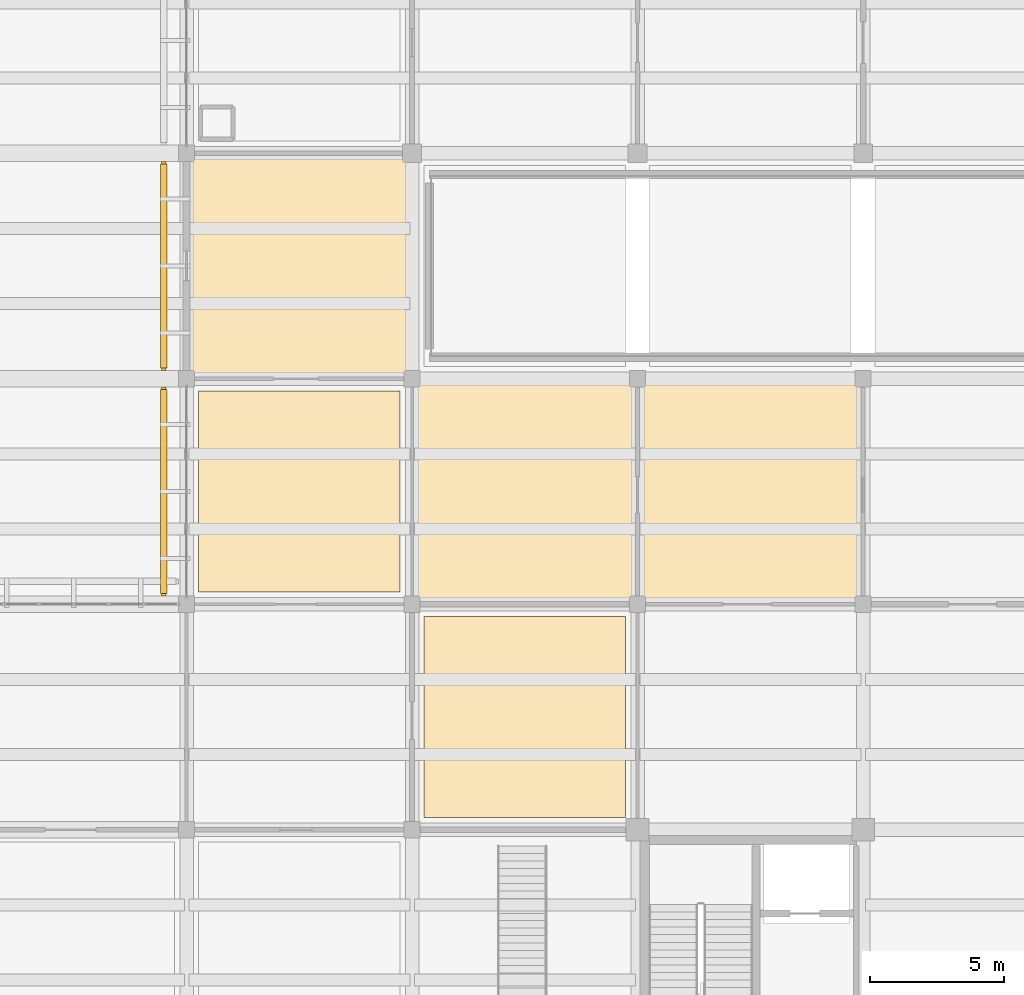
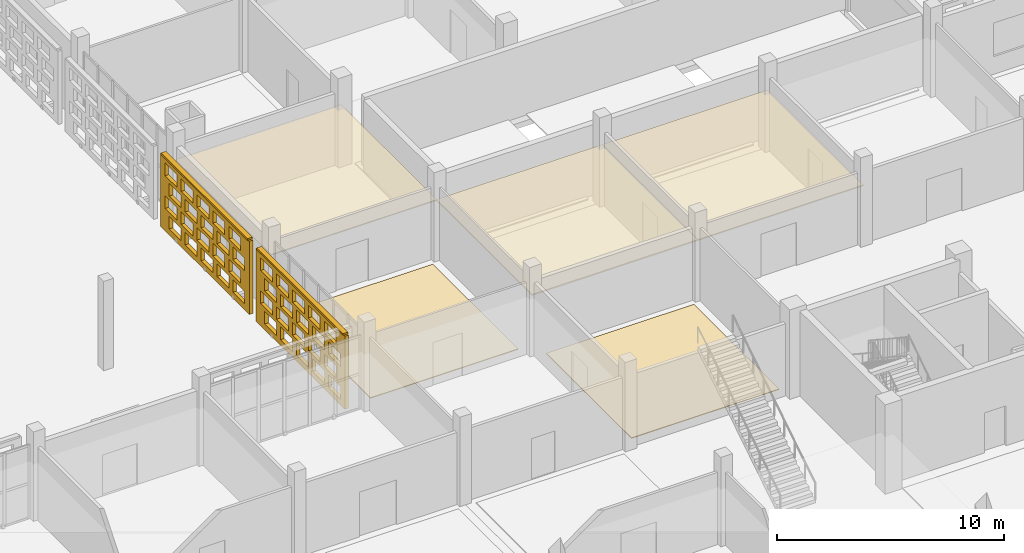
# One storey, part 116 of 129: 7 coverings, 2 shading devices, 40 openings.
"""IFC4 building model written with IfcOpenShell, lengths in metres."""

from ifc_helpers import new_model, si_unit, direction, frame, frame_2d, origin, origin_2d, place, context, subcontext, project, spatial, rectangle, extrude, material, layer, layer_set, type_object, element, save


model = new_model("IFC4")

# Units and contexts
model_context = context("Model", 3, precision=1e-05, world=origin(), true_north=direction((0.0, 1.0)))
body_context = subcontext(model_context, "Body", "Model", "MODEL_VIEW")
ifc_project = project(units=[si_unit("LENGTHUNIT", "METRE"), si_unit("AREAUNIT", "SQUARE_METRE"), si_unit("VOLUMEUNIT", "CUBIC_METRE"), si_unit("PLANEANGLEUNIT", "RADIAN"), si_unit("MASSUNIT", "GRAM", prefix="KILO")], contexts=[model_context])

# Site, building, storey
site_placement = place(None, origin())
site = spatial("IfcSite", under=ifc_project, at=site_placement, CompositionType="ELEMENT")
building_placement = place(site_placement, origin())
building = spatial("IfcBuilding", under=site, at=building_placement, Name="Varnapada Polytechnic", CompositionType="ELEMENT")
storey_placement = place(building_placement, origin())
storey = spatial("IfcBuildingStorey", under=building, at=storey_placement, Name="L00", CompositionType="ELEMENT", Elevation=0.0)

# Coverings
ifc_material_1 = material(Name="Acoustic Rubber Seminar Flooring")
ifc_layer_1 = layer(ifc_material_1, 0.0400390625)
ifc_layer_set_1 = layer_set([ifc_layer_1], Name="Acoustic Rubber Seminar Flooring")
covering_type_1 = type_object("IfcCoveringType", Name="Floor Finish FLR-06", PredefinedType="FLOORING", material=ifc_layer_set_1)
for number, where, z_axis, x_axis, name in (
    (1, (138.60009765625, 46.199951171875, 0.0), (0.0, 0.0, 1.0), (1.0, 0.0, 0.0), "L00 floor finish panel (17,6)"),
    (2, (147.0, 37.800048828125, 0.0), (0.0, 0.0, 1.0), (1.0, 0.0, 0.0), "L00 floor finish panel (18,5)"),
):
    element("IfcCovering", number, at=place(storey_placement, frame(where, z_axis=z_axis, x_axis=x_axis)), inside=storey, type_object=covering_type_1, Name=name, PredefinedType="FLOORING", context=body_context, shape_type="SweptSolid", body=[
        extrude(rectangle(XDim=7.5, YDim=7.5, at=origin_2d()), origin(), (0.0, 0.0, 1.0), 0.0400390625),
    ])
ifc_material_2 = material(Name="Perforated Timber Slatted Baffle Ceiling", Category="wood")
ifc_layer_2 = layer(ifc_material_2, 0.050048828125)
ifc_layer_set_2 = layer_set([ifc_layer_2], Name="Perforated Timber Slatted Baffle Ceiling")
covering_type_2 = type_object("IfcCoveringType", Name="Suspended Ceiling CLG-02", PredefinedType="CEILING", material=ifc_layer_set_2)
covering_1_placement = place(storey_placement, frame((138.60009765625, 54.60009765625, 3.02490234375), z_axis=(0.0, 0.0, 1.0), x_axis=(1.0, 0.0, 0.0)))
element("IfcCovering", 3, at=covering_1_placement, inside=storey, type_object=covering_type_2, Name="L00 suspended acoustic ceiling (17,7)", PredefinedType="CEILING", context=body_context, shape_type="SweptSolid", body=[
    extrude(rectangle(XDim=8.419921875, YDim=8.419921875, at=origin_2d()), origin(), (0.0, 0.0, 1.0), 0.050048828125),
])
ifc_material_3 = material(Name="Slatted Merbau Timber Acoustic Ceiling", Category="wood")
ifc_layer_3 = layer(ifc_material_3, 0.054931640625)
ifc_layer_set_3 = layer_set([ifc_layer_3], Name="Slatted Merbau Timber Acoustic Ceiling")
covering_type_3 = type_object("IfcCoveringType", Name="Suspended Ceiling CLG-05", PredefinedType="CEILING", material=ifc_layer_set_3)
covering_2_placement = place(storey_placement, frame((155.39990234375, 46.199951171875, 3.0224609375), z_axis=(0.0, 0.0, 1.0), x_axis=(1.0, 0.0, 0.0)))
element("IfcCovering", 4, at=covering_2_placement, inside=storey, type_object=covering_type_3, Name="L00 suspended acoustic ceiling (19,6)", PredefinedType="CEILING", context=body_context, shape_type="SweptSolid", body=[
    extrude(rectangle(XDim=8.419921875, YDim=8.419921875, at=origin_2d()), origin(), (0.0, 0.0, 1.0), 0.054931640625),
])
ifc_material_4 = material(Name="Deep Acoustic Auditorium Cloud Baffle")
ifc_layer_4 = layer(ifc_material_4, 0.06494140625)
ifc_layer_set_4 = layer_set([ifc_layer_4], Name="Deep Acoustic Auditorium Cloud Baffle")
covering_type_4 = type_object("IfcCoveringType", Name="Suspended Ceiling CLG-07", PredefinedType="CEILING", material=ifc_layer_set_4)
covering_3_placement = place(storey_placement, frame((147.0, 46.199951171875, 3.017578125), z_axis=(0.0, 0.0, 1.0), x_axis=(1.0, 0.0, 0.0)))
element("IfcCovering", 5, at=covering_3_placement, inside=storey, type_object=covering_type_4, Name="L00 suspended acoustic ceiling (18,6)", PredefinedType="CEILING", context=body_context, shape_type="SweptSolid", body=[
    extrude(rectangle(XDim=8.419921875, YDim=8.419921875, at=origin_2d()), origin(), (0.0, 0.0, 1.0), 0.06494140625),
])

# Covering, openings
ifc_material_5 = material(Name="Earth-toned architectural terracotta screen block", Category="masonry")
ifc_layer_5 = layer(ifc_material_5, 0.1201171875)
ifc_layer_set_5 = layer_set([ifc_layer_5], Name="Earth-toned architectural terracotta screen block")
covering_type_5 = type_object("IfcCoveringType", Name="Terracotta Screen Cladding CLD-01", PredefinedType="CLADDING", material=ifc_layer_set_5)
covering_4_placement = place(storey_placement, frame((133.550048828125, 42.300048828125, 0.0), z_axis=(0.0, 0.0, 1.0), x_axis=(0.0, 1.0, 0.0)))
covering_4 = element("IfcCovering", 6, at=covering_4_placement, inside=storey, type_object=covering_type_5, Name="L00 perforated terracotta block screen (85)", PredefinedType="CLADDING", context=body_context, shape_type="SweptSolid", body=[
    extrude(rectangle(XDim=7.800048828125, YDim=0.179931640625, at=frame_2d((3.89990234375, 0.0))), origin(), (0.0, 0.0, 1.0), 3.919921875),
])
opening_1_placement = place(covering_4_placement, frame((0.39990234375, 0.0, 0.313720703125)))
element("IfcOpeningElement", 7, at=opening_1_placement, cuts=covering_4, Name="Screen perforation TBS-L00-084.1", PredefinedType="OPENING", context=body_context, shape_type="SweptSolid", body=[
    extrude(rectangle(XDim=1.0400390625, YDim=0.679931640625, at=frame_2d((0.52001953125, 0.33984375))), frame((0.0, 0.099853515625, 0.0), z_axis=(0.0, -1.0, 0.0), x_axis=(1.0, 0.0, 0.0)), (0.0, 0.0, 1.0), 0.199951171875),
])
opening_2_placement = place(covering_4_placement, frame((1.800048828125, 0.0, 0.313720703125)))
element("IfcOpeningElement", 8, at=opening_2_placement, cuts=covering_4, Name="Screen perforation TBS-L00-084.2", PredefinedType="OPENING", context=body_context, shape_type="SweptSolid", body=[
    extrude(rectangle(XDim=1.0400390625, YDim=0.679931640625, at=frame_2d((0.52001953125, 0.33984375))), frame((0.0, 0.099853515625, 0.0), z_axis=(0.0, -1.0, 0.0), x_axis=(1.0, 0.0, 0.0)), (0.0, 0.0, 1.0), 0.199951171875),
])
opening_3_placement = place(covering_4_placement, frame((3.199951171875, 0.0, 0.313720703125)))
element("IfcOpeningElement", 9, at=opening_3_placement, cuts=covering_4, Name="Screen perforation TBS-L00-084.3", PredefinedType="OPENING", context=body_context, shape_type="SweptSolid", body=[
    extrude(rectangle(XDim=1.0400390625, YDim=0.679931640625, at=frame_2d((0.52001953125, 0.33984375))), frame((0.0, 0.099853515625, 0.0), z_axis=(0.0, -1.0, 0.0), x_axis=(1.0, 0.0, 0.0)), (0.0, 0.0, 1.0), 0.199951171875),
])
opening_4_placement = place(covering_4_placement, frame((4.60009765625, 0.0, 0.313720703125)))
element("IfcOpeningElement", 10, at=opening_4_placement, cuts=covering_4, Name="Screen perforation TBS-L00-084.4", PredefinedType="OPENING", context=body_context, shape_type="SweptSolid", body=[
    extrude(rectangle(XDim=1.0400390625, YDim=0.679931640625, at=frame_2d((0.52001953125, 0.33984375))), frame((0.0, 0.099853515625, 0.0), z_axis=(0.0, -1.0, 0.0), x_axis=(1.0, 0.0, 0.0)), (0.0, 0.0, 1.0), 0.199951171875),
])
opening_5_placement = place(covering_4_placement, frame((6.0, 0.0, 0.313720703125)))
element("IfcOpeningElement", 11, at=opening_5_placement, cuts=covering_4, Name="Screen perforation TBS-L00-084.5", PredefinedType="OPENING", context=body_context, shape_type="SweptSolid", body=[
    extrude(rectangle(XDim=1.0400390625, YDim=0.679931640625, at=frame_2d((0.52001953125, 0.33984375))), frame((0.0, 0.099853515625, 0.0), z_axis=(0.0, -1.0, 0.0), x_axis=(1.0, 0.0, 0.0)), (0.0, 0.0, 1.0), 0.199951171875),
])
opening_6_placement = place(covering_4_placement, frame((0.760009765625, 0.0, 1.195556640625)))
element("IfcOpeningElement", 12, at=opening_6_placement, cuts=covering_4, Name="Screen perforation TBS-L00-084.6", PredefinedType="OPENING", context=body_context, shape_type="SweptSolid", body=[
    extrude(rectangle(XDim=1.0400390625, YDim=0.679931640625, at=frame_2d((0.52001953125, 0.33984375))), frame((0.0, 0.099853515625, 0.0), z_axis=(0.0, -1.0, 0.0), x_axis=(1.0, 0.0, 0.0)), (0.0, 0.0, 1.0), 0.199951171875),
])
opening_7_placement = place(covering_4_placement, frame((2.159912109375, 0.0, 1.195556640625)))
element("IfcOpeningElement", 13, at=opening_7_placement, cuts=covering_4, Name="Screen perforation TBS-L00-084.7", PredefinedType="OPENING", context=body_context, shape_type="SweptSolid", body=[
    extrude(rectangle(XDim=1.0400390625, YDim=0.679931640625, at=frame_2d((0.52001953125, 0.33984375))), frame((0.0, 0.099853515625, 0.0), z_axis=(0.0, -1.0, 0.0), x_axis=(1.0, 0.0, 0.0)), (0.0, 0.0, 1.0), 0.199951171875),
])
opening_8_placement = place(covering_4_placement, frame((3.56005859375, 0.0, 1.195556640625)))
element("IfcOpeningElement", 14, at=opening_8_placement, cuts=covering_4, Name="Screen perforation TBS-L00-084.8", PredefinedType="OPENING", context=body_context, shape_type="SweptSolid", body=[
    extrude(rectangle(XDim=1.0400390625, YDim=0.679931640625, at=frame_2d((0.52001953125, 0.33984375))), frame((0.0, 0.099853515625, 0.0), z_axis=(0.0, -1.0, 0.0), x_axis=(1.0, 0.0, 0.0)), (0.0, 0.0, 1.0), 0.199951171875),
])
opening_9_placement = place(covering_4_placement, frame((4.9599609375, 0.0, 1.195556640625)))
element("IfcOpeningElement", 15, at=opening_9_placement, cuts=covering_4, Name="Screen perforation TBS-L00-084.9", PredefinedType="OPENING", context=body_context, shape_type="SweptSolid", body=[
    extrude(rectangle(XDim=1.0400390625, YDim=0.679931640625, at=frame_2d((0.52001953125, 0.33984375))), frame((0.0, 0.099853515625, 0.0), z_axis=(0.0, -1.0, 0.0), x_axis=(1.0, 0.0, 0.0)), (0.0, 0.0, 1.0), 0.199951171875),
])
opening_10_placement = place(covering_4_placement, frame((6.360107421875, 0.0, 1.195556640625)))
element("IfcOpeningElement", 16, at=opening_10_placement, cuts=covering_4, Name="Screen perforation TBS-L00-084.10", PredefinedType="OPENING", context=body_context, shape_type="SweptSolid", body=[
    extrude(rectangle(XDim=1.0400390625, YDim=0.679931640625, at=frame_2d((0.52001953125, 0.33984375))), frame((0.0, 0.099853515625, 0.0), z_axis=(0.0, -1.0, 0.0), x_axis=(1.0, 0.0, 0.0)), (0.0, 0.0, 1.0), 0.199951171875),
])
opening_11_placement = place(covering_4_placement, frame((0.39990234375, 0.0, 2.07763671875)))
element("IfcOpeningElement", 17, at=opening_11_placement, cuts=covering_4, Name="Screen perforation TBS-L00-084.11", PredefinedType="OPENING", context=body_context, shape_type="SweptSolid", body=[
    extrude(rectangle(XDim=1.0400390625, YDim=0.679931640625, at=frame_2d((0.52001953125, 0.33984375))), frame((0.0, 0.099853515625, 0.0), z_axis=(0.0, -1.0, 0.0), x_axis=(1.0, 0.0, 0.0)), (0.0, 0.0, 1.0), 0.199951171875),
])
opening_12_placement = place(covering_4_placement, frame((1.800048828125, 0.0, 2.07763671875)))
element("IfcOpeningElement", 18, at=opening_12_placement, cuts=covering_4, Name="Screen perforation TBS-L00-084.12", PredefinedType="OPENING", context=body_context, shape_type="SweptSolid", body=[
    extrude(rectangle(XDim=1.0400390625, YDim=0.679931640625, at=frame_2d((0.52001953125, 0.33984375))), frame((0.0, 0.099853515625, 0.0), z_axis=(0.0, -1.0, 0.0), x_axis=(1.0, 0.0, 0.0)), (0.0, 0.0, 1.0), 0.199951171875),
])
opening_13_placement = place(covering_4_placement, frame((3.199951171875, 0.0, 2.07763671875)))
element("IfcOpeningElement", 19, at=opening_13_placement, cuts=covering_4, Name="Screen perforation TBS-L00-084.13", PredefinedType="OPENING", context=body_context, shape_type="SweptSolid", body=[
    extrude(rectangle(XDim=1.0400390625, YDim=0.679931640625, at=frame_2d((0.52001953125, 0.33984375))), frame((0.0, 0.099853515625, 0.0), z_axis=(0.0, -1.0, 0.0), x_axis=(1.0, 0.0, 0.0)), (0.0, 0.0, 1.0), 0.199951171875),
])
opening_14_placement = place(covering_4_placement, frame((4.60009765625, 0.0, 2.07763671875)))
element("IfcOpeningElement", 20, at=opening_14_placement, cuts=covering_4, Name="Screen perforation TBS-L00-084.14", PredefinedType="OPENING", context=body_context, shape_type="SweptSolid", body=[
    extrude(rectangle(XDim=1.0400390625, YDim=0.679931640625, at=frame_2d((0.52001953125, 0.33984375))), frame((0.0, 0.099853515625, 0.0), z_axis=(0.0, -1.0, 0.0), x_axis=(1.0, 0.0, 0.0)), (0.0, 0.0, 1.0), 0.199951171875),
])
opening_15_placement = place(covering_4_placement, frame((6.0, 0.0, 2.07763671875)))
element("IfcOpeningElement", 21, at=opening_15_placement, cuts=covering_4, Name="Screen perforation TBS-L00-084.15", PredefinedType="OPENING", context=body_context, shape_type="SweptSolid", body=[
    extrude(rectangle(XDim=1.0400390625, YDim=0.679931640625, at=frame_2d((0.52001953125, 0.33984375))), frame((0.0, 0.099853515625, 0.0), z_axis=(0.0, -1.0, 0.0), x_axis=(1.0, 0.0, 0.0)), (0.0, 0.0, 1.0), 0.199951171875),
])
opening_16_placement = place(covering_4_placement, frame((0.760009765625, 0.0, 2.959716796875)))
element("IfcOpeningElement", 22, at=opening_16_placement, cuts=covering_4, Name="Screen perforation TBS-L00-084.16", PredefinedType="OPENING", context=body_context, shape_type="SweptSolid", body=[
    extrude(rectangle(XDim=1.0400390625, YDim=0.679931640625, at=frame_2d((0.52001953125, 0.33984375))), frame((0.0, 0.099853515625, 0.0), z_axis=(0.0, -1.0, 0.0), x_axis=(1.0, 0.0, 0.0)), (0.0, 0.0, 1.0), 0.199951171875),
])
opening_17_placement = place(covering_4_placement, frame((2.159912109375, 0.0, 2.959716796875)))
element("IfcOpeningElement", 23, at=opening_17_placement, cuts=covering_4, Name="Screen perforation TBS-L00-084.17", PredefinedType="OPENING", context=body_context, shape_type="SweptSolid", body=[
    extrude(rectangle(XDim=1.0400390625, YDim=0.679931640625, at=frame_2d((0.52001953125, 0.33984375))), frame((0.0, 0.099853515625, 0.0), z_axis=(0.0, -1.0, 0.0), x_axis=(1.0, 0.0, 0.0)), (0.0, 0.0, 1.0), 0.199951171875),
])
opening_18_placement = place(covering_4_placement, frame((3.56005859375, 0.0, 2.959716796875)))
element("IfcOpeningElement", 24, at=opening_18_placement, cuts=covering_4, Name="Screen perforation TBS-L00-084.18", PredefinedType="OPENING", context=body_context, shape_type="SweptSolid", body=[
    extrude(rectangle(XDim=1.0400390625, YDim=0.679931640625, at=frame_2d((0.52001953125, 0.33984375))), frame((0.0, 0.099853515625, 0.0), z_axis=(0.0, -1.0, 0.0), x_axis=(1.0, 0.0, 0.0)), (0.0, 0.0, 1.0), 0.199951171875),
])
opening_19_placement = place(covering_4_placement, frame((4.9599609375, 0.0, 2.959716796875)))
element("IfcOpeningElement", 25, at=opening_19_placement, cuts=covering_4, Name="Screen perforation TBS-L00-084.19", PredefinedType="OPENING", context=body_context, shape_type="SweptSolid", body=[
    extrude(rectangle(XDim=1.0400390625, YDim=0.679931640625, at=frame_2d((0.52001953125, 0.33984375))), frame((0.0, 0.099853515625, 0.0), z_axis=(0.0, -1.0, 0.0), x_axis=(1.0, 0.0, 0.0)), (0.0, 0.0, 1.0), 0.199951171875),
])
opening_20_placement = place(covering_4_placement, frame((6.360107421875, 0.0, 2.959716796875)))
element("IfcOpeningElement", 26, at=opening_20_placement, cuts=covering_4, Name="Screen perforation TBS-L00-084.20", PredefinedType="OPENING", context=body_context, shape_type="SweptSolid", body=[
    extrude(rectangle(XDim=1.0400390625, YDim=0.679931640625, at=frame_2d((0.52001953125, 0.33984375))), frame((0.0, 0.099853515625, 0.0), z_axis=(0.0, -1.0, 0.0), x_axis=(1.0, 0.0, 0.0)), (0.0, 0.0, 1.0), 0.199951171875),
])

covering_5_placement = place(storey_placement, frame((133.550048828125, 50.699951171875, 0.0), z_axis=(0.0, 0.0, 1.0), x_axis=(0.0, 1.0, 0.0)))
covering_5 = element("IfcCovering", 27, at=covering_5_placement, inside=storey, type_object=covering_type_5, Name="L00 perforated terracotta block screen (86)", PredefinedType="CLADDING", context=body_context, shape_type="SweptSolid", body=[
    extrude(rectangle(XDim=7.800048828125, YDim=0.179931640625, at=frame_2d((3.89990234375, 0.0))), origin(), (0.0, 0.0, 1.0), 3.919921875),
])
opening_21_placement = place(covering_5_placement, frame((0.39990234375, 0.0, 0.313720703125)))
element("IfcOpeningElement", 28, at=opening_21_placement, cuts=covering_5, Name="Screen perforation TBS-L00-085.1", PredefinedType="OPENING", context=body_context, shape_type="SweptSolid", body=[
    extrude(rectangle(XDim=1.0400390625, YDim=0.679931640625, at=frame_2d((0.52001953125, 0.33984375))), frame((0.0, 0.099853515625, 0.0), z_axis=(0.0, -1.0, 0.0), x_axis=(1.0, 0.0, 0.0)), (0.0, 0.0, 1.0), 0.199951171875),
])
opening_22_placement = place(covering_5_placement, frame((1.800048828125, 0.0, 0.313720703125)))
element("IfcOpeningElement", 29, at=opening_22_placement, cuts=covering_5, Name="Screen perforation TBS-L00-085.2", PredefinedType="OPENING", context=body_context, shape_type="SweptSolid", body=[
    extrude(rectangle(XDim=1.0400390625, YDim=0.679931640625, at=frame_2d((0.52001953125, 0.33984375))), frame((0.0, 0.099853515625, 0.0), z_axis=(0.0, -1.0, 0.0), x_axis=(1.0, 0.0, 0.0)), (0.0, 0.0, 1.0), 0.199951171875),
])
opening_23_placement = place(covering_5_placement, frame((3.199951171875, 0.0, 0.313720703125)))
element("IfcOpeningElement", 30, at=opening_23_placement, cuts=covering_5, Name="Screen perforation TBS-L00-085.3", PredefinedType="OPENING", context=body_context, shape_type="SweptSolid", body=[
    extrude(rectangle(XDim=1.0400390625, YDim=0.679931640625, at=frame_2d((0.52001953125, 0.33984375))), frame((0.0, 0.099853515625, 0.0), z_axis=(0.0, -1.0, 0.0), x_axis=(1.0, 0.0, 0.0)), (0.0, 0.0, 1.0), 0.199951171875),
])
opening_24_placement = place(covering_5_placement, frame((4.60009765625, 0.0, 0.313720703125)))
element("IfcOpeningElement", 31, at=opening_24_placement, cuts=covering_5, Name="Screen perforation TBS-L00-085.4", PredefinedType="OPENING", context=body_context, shape_type="SweptSolid", body=[
    extrude(rectangle(XDim=1.0400390625, YDim=0.679931640625, at=frame_2d((0.52001953125, 0.33984375))), frame((0.0, 0.099853515625, 0.0), z_axis=(0.0, -1.0, 0.0), x_axis=(1.0, 0.0, 0.0)), (0.0, 0.0, 1.0), 0.199951171875),
])
opening_25_placement = place(covering_5_placement, frame((6.0, 0.0, 0.313720703125)))
element("IfcOpeningElement", 32, at=opening_25_placement, cuts=covering_5, Name="Screen perforation TBS-L00-085.5", PredefinedType="OPENING", context=body_context, shape_type="SweptSolid", body=[
    extrude(rectangle(XDim=1.0400390625, YDim=0.679931640625, at=frame_2d((0.52001953125, 0.33984375))), frame((0.0, 0.099853515625, 0.0), z_axis=(0.0, -1.0, 0.0), x_axis=(1.0, 0.0, 0.0)), (0.0, 0.0, 1.0), 0.199951171875),
])
opening_26_placement = place(covering_5_placement, frame((0.760009765625, 0.0, 1.195556640625)))
element("IfcOpeningElement", 33, at=opening_26_placement, cuts=covering_5, Name="Screen perforation TBS-L00-085.6", PredefinedType="OPENING", context=body_context, shape_type="SweptSolid", body=[
    extrude(rectangle(XDim=1.0400390625, YDim=0.679931640625, at=frame_2d((0.52001953125, 0.33984375))), frame((0.0, 0.099853515625, 0.0), z_axis=(0.0, -1.0, 0.0), x_axis=(1.0, 0.0, 0.0)), (0.0, 0.0, 1.0), 0.199951171875),
])
opening_27_placement = place(covering_5_placement, frame((2.159912109375, 0.0, 1.195556640625)))
element("IfcOpeningElement", 34, at=opening_27_placement, cuts=covering_5, Name="Screen perforation TBS-L00-085.7", PredefinedType="OPENING", context=body_context, shape_type="SweptSolid", body=[
    extrude(rectangle(XDim=1.0400390625, YDim=0.679931640625, at=frame_2d((0.52001953125, 0.33984375))), frame((0.0, 0.099853515625, 0.0), z_axis=(0.0, -1.0, 0.0), x_axis=(1.0, 0.0, 0.0)), (0.0, 0.0, 1.0), 0.199951171875),
])
opening_28_placement = place(covering_5_placement, frame((3.56005859375, 0.0, 1.195556640625)))
element("IfcOpeningElement", 35, at=opening_28_placement, cuts=covering_5, Name="Screen perforation TBS-L00-085.8", PredefinedType="OPENING", context=body_context, shape_type="SweptSolid", body=[
    extrude(rectangle(XDim=1.0400390625, YDim=0.679931640625, at=frame_2d((0.52001953125, 0.33984375))), frame((0.0, 0.099853515625, 0.0), z_axis=(0.0, -1.0, 0.0), x_axis=(1.0, 0.0, 0.0)), (0.0, 0.0, 1.0), 0.199951171875),
])
opening_29_placement = place(covering_5_placement, frame((4.9599609375, 0.0, 1.195556640625)))
element("IfcOpeningElement", 36, at=opening_29_placement, cuts=covering_5, Name="Screen perforation TBS-L00-085.9", PredefinedType="OPENING", context=body_context, shape_type="SweptSolid", body=[
    extrude(rectangle(XDim=1.0400390625, YDim=0.679931640625, at=frame_2d((0.52001953125, 0.33984375))), frame((0.0, 0.099853515625, 0.0), z_axis=(0.0, -1.0, 0.0), x_axis=(1.0, 0.0, 0.0)), (0.0, 0.0, 1.0), 0.199951171875),
])
opening_30_placement = place(covering_5_placement, frame((6.360107421875, 0.0, 1.195556640625)))
element("IfcOpeningElement", 37, at=opening_30_placement, cuts=covering_5, Name="Screen perforation TBS-L00-085.10", PredefinedType="OPENING", context=body_context, shape_type="SweptSolid", body=[
    extrude(rectangle(XDim=1.0400390625, YDim=0.679931640625, at=frame_2d((0.52001953125, 0.33984375))), frame((0.0, 0.099853515625, 0.0), z_axis=(0.0, -1.0, 0.0), x_axis=(1.0, 0.0, 0.0)), (0.0, 0.0, 1.0), 0.199951171875),
])
opening_31_placement = place(covering_5_placement, frame((0.39990234375, 0.0, 2.07763671875)))
element("IfcOpeningElement", 38, at=opening_31_placement, cuts=covering_5, Name="Screen perforation TBS-L00-085.11", PredefinedType="OPENING", context=body_context, shape_type="SweptSolid", body=[
    extrude(rectangle(XDim=1.0400390625, YDim=0.679931640625, at=frame_2d((0.52001953125, 0.33984375))), frame((0.0, 0.099853515625, 0.0), z_axis=(0.0, -1.0, 0.0), x_axis=(1.0, 0.0, 0.0)), (0.0, 0.0, 1.0), 0.199951171875),
])
opening_32_placement = place(covering_5_placement, frame((1.800048828125, 0.0, 2.07763671875)))
element("IfcOpeningElement", 39, at=opening_32_placement, cuts=covering_5, Name="Screen perforation TBS-L00-085.12", PredefinedType="OPENING", context=body_context, shape_type="SweptSolid", body=[
    extrude(rectangle(XDim=1.0400390625, YDim=0.679931640625, at=frame_2d((0.52001953125, 0.33984375))), frame((0.0, 0.099853515625, 0.0), z_axis=(0.0, -1.0, 0.0), x_axis=(1.0, 0.0, 0.0)), (0.0, 0.0, 1.0), 0.199951171875),
])
opening_33_placement = place(covering_5_placement, frame((3.199951171875, 0.0, 2.07763671875)))
element("IfcOpeningElement", 40, at=opening_33_placement, cuts=covering_5, Name="Screen perforation TBS-L00-085.13", PredefinedType="OPENING", context=body_context, shape_type="SweptSolid", body=[
    extrude(rectangle(XDim=1.0400390625, YDim=0.679931640625, at=frame_2d((0.52001953125, 0.33984375))), frame((0.0, 0.099853515625, 0.0), z_axis=(0.0, -1.0, 0.0), x_axis=(1.0, 0.0, 0.0)), (0.0, 0.0, 1.0), 0.199951171875),
])
opening_34_placement = place(covering_5_placement, frame((4.60009765625, 0.0, 2.07763671875)))
element("IfcOpeningElement", 41, at=opening_34_placement, cuts=covering_5, Name="Screen perforation TBS-L00-085.14", PredefinedType="OPENING", context=body_context, shape_type="SweptSolid", body=[
    extrude(rectangle(XDim=1.0400390625, YDim=0.679931640625, at=frame_2d((0.52001953125, 0.33984375))), frame((0.0, 0.099853515625, 0.0), z_axis=(0.0, -1.0, 0.0), x_axis=(1.0, 0.0, 0.0)), (0.0, 0.0, 1.0), 0.199951171875),
])
opening_35_placement = place(covering_5_placement, frame((6.0, 0.0, 2.07763671875)))
element("IfcOpeningElement", 42, at=opening_35_placement, cuts=covering_5, Name="Screen perforation TBS-L00-085.15", PredefinedType="OPENING", context=body_context, shape_type="SweptSolid", body=[
    extrude(rectangle(XDim=1.0400390625, YDim=0.679931640625, at=frame_2d((0.52001953125, 0.33984375))), frame((0.0, 0.099853515625, 0.0), z_axis=(0.0, -1.0, 0.0), x_axis=(1.0, 0.0, 0.0)), (0.0, 0.0, 1.0), 0.199951171875),
])
opening_36_placement = place(covering_5_placement, frame((0.760009765625, 0.0, 2.959716796875)))
element("IfcOpeningElement", 43, at=opening_36_placement, cuts=covering_5, Name="Screen perforation TBS-L00-085.16", PredefinedType="OPENING", context=body_context, shape_type="SweptSolid", body=[
    extrude(rectangle(XDim=1.0400390625, YDim=0.679931640625, at=frame_2d((0.52001953125, 0.33984375))), frame((0.0, 0.099853515625, 0.0), z_axis=(0.0, -1.0, 0.0), x_axis=(1.0, 0.0, 0.0)), (0.0, 0.0, 1.0), 0.199951171875),
])
opening_37_placement = place(covering_5_placement, frame((2.159912109375, 0.0, 2.959716796875)))
element("IfcOpeningElement", 44, at=opening_37_placement, cuts=covering_5, Name="Screen perforation TBS-L00-085.17", PredefinedType="OPENING", context=body_context, shape_type="SweptSolid", body=[
    extrude(rectangle(XDim=1.0400390625, YDim=0.679931640625, at=frame_2d((0.52001953125, 0.33984375))), frame((0.0, 0.099853515625, 0.0), z_axis=(0.0, -1.0, 0.0), x_axis=(1.0, 0.0, 0.0)), (0.0, 0.0, 1.0), 0.199951171875),
])
opening_38_placement = place(covering_5_placement, frame((3.56005859375, 0.0, 2.959716796875)))
element("IfcOpeningElement", 45, at=opening_38_placement, cuts=covering_5, Name="Screen perforation TBS-L00-085.18", PredefinedType="OPENING", context=body_context, shape_type="SweptSolid", body=[
    extrude(rectangle(XDim=1.0400390625, YDim=0.679931640625, at=frame_2d((0.52001953125, 0.33984375))), frame((0.0, 0.099853515625, 0.0), z_axis=(0.0, -1.0, 0.0), x_axis=(1.0, 0.0, 0.0)), (0.0, 0.0, 1.0), 0.199951171875),
])
opening_39_placement = place(covering_5_placement, frame((4.9599609375, 0.0, 2.959716796875)))
element("IfcOpeningElement", 46, at=opening_39_placement, cuts=covering_5, Name="Screen perforation TBS-L00-085.19", PredefinedType="OPENING", context=body_context, shape_type="SweptSolid", body=[
    extrude(rectangle(XDim=1.0400390625, YDim=0.679931640625, at=frame_2d((0.52001953125, 0.33984375))), frame((0.0, 0.099853515625, 0.0), z_axis=(0.0, -1.0, 0.0), x_axis=(1.0, 0.0, 0.0)), (0.0, 0.0, 1.0), 0.199951171875),
])
opening_40_placement = place(covering_5_placement, frame((6.360107421875, 0.0, 2.959716796875)))
element("IfcOpeningElement", 47, at=opening_40_placement, cuts=covering_5, Name="Screen perforation TBS-L00-085.20", PredefinedType="OPENING", context=body_context, shape_type="SweptSolid", body=[
    extrude(rectangle(XDim=1.0400390625, YDim=0.679931640625, at=frame_2d((0.52001953125, 0.33984375))), frame((0.0, 0.099853515625, 0.0), z_axis=(0.0, -1.0, 0.0), x_axis=(1.0, 0.0, 0.0)), (0.0, 0.0, 1.0), 0.199951171875),
])

# Shading devices
ifc_layer_6 = layer(ifc_material_5, 0.179931640625)
ifc_layer_set_6 = layer_set([ifc_layer_6], Name="Earth-toned architectural terracotta screen block")
shading_device_type = type_object("IfcShadingDeviceType", Name="Terracotta Screen SCR-02", PredefinedType="USERDEFINED", material=ifc_layer_set_6)
for number, where, z_axis, x_axis, name in (
    (48, (133.550048828125, 46.199951171875, 3.909912109375), (0.0, 0.0, 1.0), (0.0, 1.0, 0.0), "L00 perforated terracotta screen hood 58"),
    (49, (133.550048828125, 54.60009765625, 3.909912109375), (0.0, 0.0, 1.0), (0.0, 1.0, 0.0), "L00 perforated terracotta screen hood 59"),
):
    element("IfcShadingDevice", number, at=place(storey_placement, frame(where, z_axis=z_axis, x_axis=x_axis)), inside=storey, type_object=shading_device_type, Name=name, ObjectType="SCREEN", PredefinedType="USERDEFINED", context=body_context, shape_type="SweptSolid", body=[
        extrude(rectangle(XDim=7.60009765625, YDim=0.239990234375, at=origin_2d()), origin(), (0.0, 0.0, 1.0), 0.10009765625),
    ])

save(model, "model.ifc")
